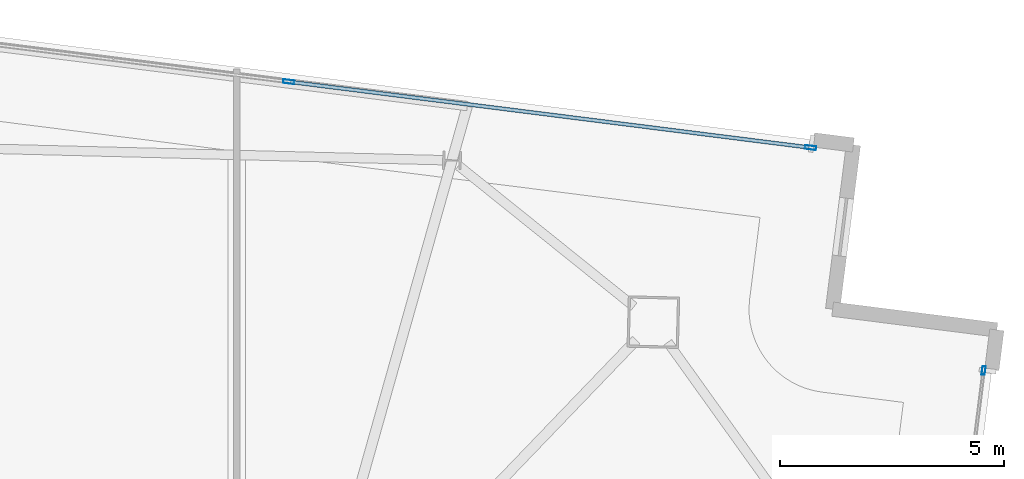
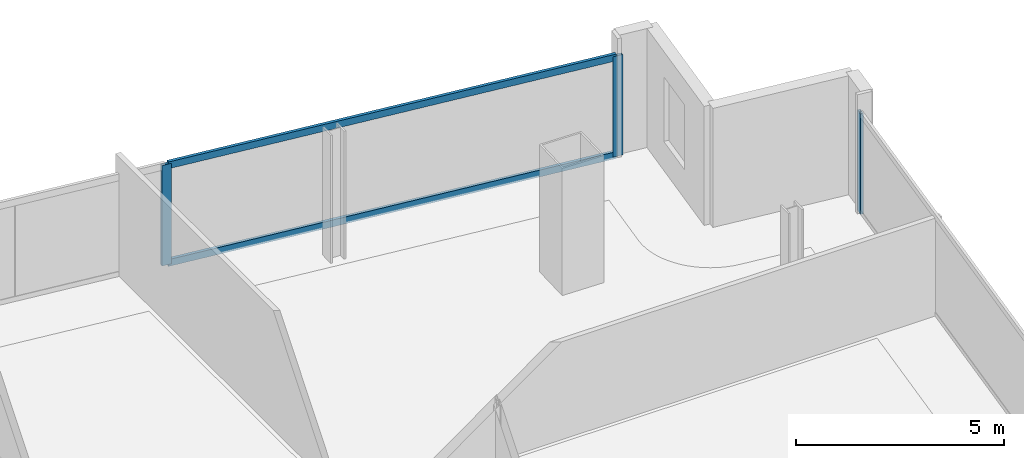
# One storey, part 16 of 23: 5 members, 2 elements without a shape of their own.
"""IFC4 building model written with IfcOpenShell, lengths in metres."""

import ifcopenshell
import ifcopenshell.guid

model = None  # the IFC model being written
_history = None  # IfcOwnerHistory: only IFC2X3 demands one
_inside = {}  # id of a spatial element -> (the spatial element, [elements in it])
_under = {}  # id of a project, library or spatial element -> (it, [spatial elements below it])
_declared = {}  # id of a project -> (the project, [libraries it declares])
_typed = {}  # id of a type object -> (the type object, [elements of that type])
_made_of = {}  # id of a material, layer set ... -> (it, [elements and type objects made of it])


def new_model(schema):
    """Start an empty IFC model of exactly this schema.

    Asked for "IFC4X3", IfcOpenShell would pick the latest addendum, in which some entities
    have other attributes; the version numbers below select the first issue.
    IFC2X3 requires an IfcOwnerHistory on every rooted entity: one is made here for all.
    """
    global model, _history
    if schema == "IFC4X3":
        model = ifcopenshell.file(schema_version=(4, 3, 0, 0))
    else:
        model = ifcopenshell.file(schema=schema)
    _inside.clear()
    _under.clear()
    _declared.clear()
    _typed.clear()
    _made_of.clear()
    _history = None
    if model.schema == "IFC2X3":
        org = make("IfcOrganization", Name="unknown")
        user = make(
            "IfcPersonAndOrganization",
            ThePerson=make("IfcPerson", FamilyName="unknown"),
            TheOrganization=org,
        )
        app = make(
            "IfcApplication",
            ApplicationDeveloper=org,
            Version="unknown",
            ApplicationFullName="unknown",
            ApplicationIdentifier="unknown",
        )
        _history = make(
            "IfcOwnerHistory",
            OwningUser=user,
            OwningApplication=app,
            ChangeAction="ADDED",
            CreationDate=0,
        )
    return model


def make(cls, **values):
    """One entity of the class cls with the attributes given. An attribute that is None is left unset."""
    return model.create_entity(
        cls, **{name: value for name, value in values.items() if value is not None}
    )


def rooted(cls, **values):
    """An entity with a GlobalId (a new one), such as an element, a storey or a relation."""
    return make(cls, GlobalId=ifcopenshell.guid.new(), OwnerHistory=_history, **values)


def si_unit(unit_type, name, prefix=None):
    """IfcSIUnit, for example si_unit("LENGTHUNIT", "METRE", prefix="MILLI")."""
    return make("IfcSIUnit", UnitType=unit_type, Prefix=prefix, Name=name)


def assignment(units):
    """IfcUnitAssignment: the units of a project."""
    return None if units is None else make("IfcUnitAssignment", Units=units)


def point(xyz):
    """IfcCartesianPoint."""
    return None if xyz is None else make("IfcCartesianPoint", Coordinates=xyz)


def direction(xyz):
    """IfcDirection."""
    return None if xyz is None else make("IfcDirection", DirectionRatios=xyz)


def frame(location, z_axis=None, x_axis=None):
    """IfcAxis2Placement3D, a coordinate frame: its origin and axes. An axis left out is left unset."""
    return make(
        "IfcAxis2Placement3D",
        Location=point(location),
        Axis=direction(z_axis),
        RefDirection=direction(x_axis),
    )


def frame_2d(location, x_axis=None):
    """IfcAxis2Placement2D, a coordinate frame in the plane: its origin and x axis."""
    return make(
        "IfcAxis2Placement2D", Location=point(location), RefDirection=direction(x_axis)
    )


def origin():
    """The frame at (0, 0, 0) with its axes left unset."""
    return frame((0.0, 0.0, 0.0))


def origin_2d():
    """The frame at (0, 0) in the plane with its x axis left unset."""
    return frame_2d((0.0, 0.0))


def place(relative_to, where):
    """IfcLocalPlacement: puts the frame where relative to a parent placement (None: the world)."""
    return make(
        "IfcLocalPlacement", PlacementRelTo=relative_to, RelativePlacement=where
    )


def context(
    kind, dimensions, precision=None, world=None, true_north=None, identifier=None
):
    """IfcGeometricRepresentationContext, for example the 3D "Model" context."""
    return make(
        "IfcGeometricRepresentationContext",
        ContextIdentifier=identifier,
        ContextType=kind,
        CoordinateSpaceDimension=dimensions,
        Precision=precision,
        WorldCoordinateSystem=world,
        TrueNorth=true_north,
    )


def subcontext(parent, identifier, kind, view, scale=None):
    """IfcGeometricRepresentationSubContext, for example "Body" below "Model"."""
    return make(
        "IfcGeometricRepresentationSubContext",
        ContextIdentifier=identifier,
        ContextType=kind,
        ParentContext=parent,
        TargetScale=scale,
        TargetView=view,
    )


def project(units=None, contexts=None):
    """IfcProject with its units and contexts."""
    return rooted(
        "IfcProject",
        Name="project",
        RepresentationContexts=contexts,
        UnitsInContext=assignment(units),
    )


def spatial(cls, under=None, at=None, **own):
    """A site, building, storey or space (cls), placed at a placement, below another one or the project."""
    s = rooted(cls, ObjectPlacement=at, **own)
    if under is not None:
        _under.setdefault(under.id(), (under, []))[1].append(s)
    return s


def profile(cls, at=None, kind="AREA", **sizes):
    """A parametric profile (cls). Its sizes go by their IFC names, for example OverallWidth=200.0."""
    return make(cls, ProfileType=kind, Position=at, **sizes)


def hollow_rectangle(**sizes):
    """IfcRectangleHollowProfileDef."""
    return profile("IfcRectangleHollowProfileDef", **sizes)


def extrude(swept, where, along, depth):
    """IfcExtrudedAreaSolid: the profile swept, set in the frame where, extruded along a direction by depth."""
    return make(
        "IfcExtrudedAreaSolid",
        SweptArea=swept,
        Position=where,
        ExtrudedDirection=direction(along),
        Depth=depth,
    )


def shape(context_of_items, identifier, shape_type, items):
    """IfcShapeRepresentation: the items that make up one representation, for example the "Body"."""
    return make(
        "IfcShapeRepresentation",
        ContextOfItems=context_of_items,
        RepresentationIdentifier=identifier,
        RepresentationType=shape_type,
        Items=items,
    )


def material(Name=None, Category=None):
    """IfcMaterial."""
    return make("IfcMaterial", Name=Name, Category=Category)


def material_profile(
    of_material, cross_section, Name=None, Category=None, Priority=None
):
    """IfcMaterialProfile: a cross section and its material."""
    return make(
        "IfcMaterialProfile",
        Name=Name,
        Material=of_material,
        Profile=cross_section,
        Priority=Priority,
        Category=Category,
    )


def profile_set(profiles, Name=None, composite=None):
    """IfcMaterialProfileSet."""
    return make(
        "IfcMaterialProfileSet",
        Name=Name,
        MaterialProfiles=profiles,
        CompositeProfile=composite,
    )


def made_of(thing, what):
    """Note that an element or type object is made of a material, layer set ...; save() writes the relation."""
    if what is not None:
        _made_of.setdefault(what.id(), (what, []))[1].append(thing)
    return thing


def type_object(cls, material=None, **own):
    """A type object (cls), such as IfcWallType, which elements share."""
    return made_of(rooted(cls, **own), material)


def element(
    cls,
    number,
    at=None,
    inside=None,
    cuts=None,
    type_object=None,
    material=None,
    context=None,
    identifier="Body",
    shape_type=None,
    held_by="IfcProductDefinitionShape",
    body=None,
    shapes=None,
    **own,
):
    """One element of the class cls, such as IfcWall. Its Tag is "e" and its number.

    at: its placement. inside: the storey or other place that contains it. cuts: it is an
    opening in that element (IfcRelVoidsElement). A single representation is given by context,
    identifier, shape_type and body (its items); several are given by shapes. held_by: the class
    of the entity that holds the representations. save() writes the other relations.
    """
    e = rooted(cls, Tag="e%d" % number, ObjectPlacement=at, **own)
    if body is not None:
        shapes = [shape(context, identifier, shape_type, body)]
    if shapes is not None:
        e.Representation = make(held_by, Representations=shapes)
    if inside is not None:
        _inside.setdefault(inside.id(), (inside, []))[1].append(e)
    if cuts is not None:
        rooted(
            "IfcRelVoidsElement", RelatingBuildingElement=cuts, RelatedOpeningElement=e
        )
    if type_object is not None:
        _typed.setdefault(type_object.id(), (type_object, []))[1].append(e)
    return made_of(e, material)


def aggregate(whole, parts):
    """IfcRelAggregates: a whole, such as a stair, and the parts it consists of."""
    return rooted("IfcRelAggregates", RelatingObject=whole, RelatedObjects=parts)


def save(model, path):
    """Write the relations noted so far, then the file.

    IfcRelAggregates (storeys below a building ...), IfcRelContainedInSpatialStructure (elements
    in a storey), IfcRelDefinesByType, IfcRelAssociatesMaterial and IfcRelDeclares: one each for
    every whole, place, type object, material and project.
    """
    for whole, parts in _under.values():
        aggregate(whole, parts)
    for where, things in _inside.values():
        rooted(
            "IfcRelContainedInSpatialStructure",
            RelatedElements=things,
            RelatingStructure=where,
        )
    for kind, things in _typed.values():
        rooted("IfcRelDefinesByType", RelatedObjects=things, RelatingType=kind)
    for what, things in _made_of.values():
        rooted("IfcRelAssociatesMaterial", RelatedObjects=things, RelatingMaterial=what)
    for by, libraries in _declared.values():
        rooted("IfcRelDeclares", RelatingContext=by, RelatedDefinitions=libraries)
    model.write(path)


model = new_model("IFC4")

# Units and contexts
model_context = context("Model", 3, precision=1e-05, world=origin(), true_north=direction((0.0, 1.0)))
body_context = subcontext(model_context, "Body", "Model", "MODEL_VIEW")
ifc_project = project(units=[si_unit("LENGTHUNIT", "METRE"), si_unit("AREAUNIT", "SQUARE_METRE"), si_unit("VOLUMEUNIT", "CUBIC_METRE"), si_unit("PLANEANGLEUNIT", "RADIAN"), si_unit("MASSUNIT", "GRAM", prefix="KILO")], contexts=[model_context])

# Site, building, storey
site_placement = place(None, origin())
site = spatial("IfcSite", under=ifc_project, at=site_placement, CompositionType="ELEMENT")
building_placement = place(site_placement, origin())
building = spatial("IfcBuilding", under=site, at=building_placement, Name="Haldenkirk Collegiate Tower", CompositionType="ELEMENT")
storey_placement = place(building_placement, frame((0.0, 0.0, 306.449951171875)))
storey = spatial("IfcBuildingStorey", under=building, at=storey_placement, Name="L77", CompositionType="ELEMENT", Elevation=306.449951171875)

# Curtain wall, member
ifc_material = material(Name="Anodised architectural bronze aluminium", Category="aluminium")
curtain_wall_type_1 = type_object("IfcCurtainWallType", Name="CW-SYS2-CONCAVE", PredefinedType="USERDEFINED", material=ifc_material)
curtain_wall_1_placement = place(storey_placement, origin())
curtain_wall_1 = element("IfcCurtainWall", 1, at=curtain_wall_1_placement, inside=storey, type_object=curtain_wall_type_1, Name="L77 South concave recessed bronze-anodised curtain wall", ObjectType="UNITISED CURTAIN WALL", PredefinedType="USERDEFINED")
ifc_material_profile_1 = material_profile(ifc_material, hollow_rectangle(XDim=0.074951171875, YDim=0.18994140625, WallThickness=0.0048828125, at=origin_2d()), Name="CW-MUL-02")
ifc_profile_set_1 = profile_set([ifc_material_profile_1], Name="Anodised architectural bronze aluminium")
member_type_1 = type_object("IfcMemberType", Name="CW-MUL-02", PredefinedType="MULLION", material=ifc_profile_set_1)
member_1_placement = place(storey_placement, frame((60.197021484375, 41.048583984375, 0.0), z_axis=(0.0, 0.0, 1.0), x_axis=(0.992114676148, -0.125333432781, 0.0)))
member_1 = element("IfcMember", 2, at=member_1_placement, type_object=member_type_1, Name="CW-02 mullion 1", PredefinedType="MULLION", context=body_context, shape_type="SweptSolid", body=[
    extrude(hollow_rectangle(XDim=0.074951171875, YDim=0.18994140625, WallThickness=0.0048828125, at=origin_2d()), origin(), (0.0, 0.0, 1.0), 2.947998046875),
])
aggregate(curtain_wall_1, [member_1])

# Curtain wall, members
curtain_wall_type_2 = type_object("IfcCurtainWallType", Name="CW-SYS1B-CONVEX-HI", PredefinedType="USERDEFINED", material=ifc_material)
curtain_wall_2_placement = place(storey_placement, origin())
curtain_wall_2 = element("IfcCurtainWall", 3, at=curtain_wall_2_placement, inside=storey, type_object=curtain_wall_type_2, Name="L77 Upper tower high-wind convex bronze unitised curtain wall", ObjectType="UNITISED CURTAIN WALL", PredefinedType="USERDEFINED")
ifc_material_profile_2 = material_profile(ifc_material, hollow_rectangle(XDim=0.0849609375, YDim=0.25, WallThickness=0.0048828125, at=origin_2d()), Name="CW-MUL-1B")
ifc_profile_set_2 = profile_set([ifc_material_profile_2], Name="Anodised architectural bronze aluminium")
member_type_2 = type_object("IfcMemberType", Name="CW-MUL-1B", PredefinedType="MULLION", material=ifc_profile_set_2)
member_2_placement = place(storey_placement, frame((44.663330078125, 47.503662109375, 0.0), z_axis=(0.0, 0.0, 1.0), x_axis=(0.125333192769, 0.992114706468, 0.0)))
member_2 = element("IfcMember", 4, at=member_2_placement, type_object=member_type_2, Name="CW-1B mullion 3", PredefinedType="MULLION", context=body_context, shape_type="SweptSolid", body=[
    extrude(hollow_rectangle(XDim=0.0849609375, YDim=0.25, WallThickness=0.0048828125, at=origin_2d()), origin(), (0.0, 0.0, 1.0), 2.947998046875),
])
member_3_placement = place(storey_placement, frame((56.328125, 46.030029296875, 0.0), z_axis=(0.0, 0.0, 1.0), x_axis=(0.125333192769, 0.992114706468, 0.0)))
member_3 = element("IfcMember", 5, at=member_3_placement, type_object=member_type_2, Name="CW-1B mullion 4", PredefinedType="MULLION", context=body_context, shape_type="SweptSolid", body=[
    extrude(hollow_rectangle(XDim=0.0849609375, YDim=0.25, WallThickness=0.0048828125, at=origin_2d()), origin(), (0.0, 0.0, 1.0), 2.947998046875),
])
ifc_material_profile_3 = material_profile(ifc_material, hollow_rectangle(XDim=0.0849609375, YDim=0.199951171875, WallThickness=0.0048828125, at=origin_2d()), Name="CW-TRN-1B")
ifc_profile_set_3 = profile_set([ifc_material_profile_3], Name="Anodised architectural bronze aluminium")
member_type_3 = type_object("IfcMemberType", Name="CW-TRN-1B", PredefinedType="USERDEFINED", material=ifc_profile_set_3)
member_4_placement = place(storey_placement, frame((44.70556640625, 47.498291015625, 0.04248046875), z_axis=(0.992115501646, -0.125326898129, 0.0), x_axis=(0.125326898129, 0.992115501646, 0.0)))
member_4 = element("IfcMember", 6, at=member_4_placement, type_object=member_type_3, Name="CW-1B transom 3.1", ObjectType="TRANSOM", PredefinedType="USERDEFINED", context=body_context, shape_type="SweptSolid", body=[
    extrude(hollow_rectangle(XDim=0.0849609375, YDim=0.199951171875, WallThickness=0.0048828125, at=origin_2d()), origin(), (0.0, 0.0, 1.0), 11.672607421875),
])
member_5_placement = place(storey_placement, frame((44.70556640625, 47.498291015625, 2.905517578125), z_axis=(0.992115501646, -0.125326898129, 0.0), x_axis=(0.125326898129, 0.992115501646, 0.0)))
member_5 = element("IfcMember", 7, at=member_5_placement, type_object=member_type_3, Name="CW-1B transom 3.2", ObjectType="TRANSOM", PredefinedType="USERDEFINED", context=body_context, shape_type="SweptSolid", body=[
    extrude(hollow_rectangle(XDim=0.0849609375, YDim=0.199951171875, WallThickness=0.0048828125, at=origin_2d()), origin(), (0.0, 0.0, 1.0), 11.672607421875),
])
aggregate(curtain_wall_2, [member_2, member_3, member_4, member_5])

save(model, "model.ifc")
